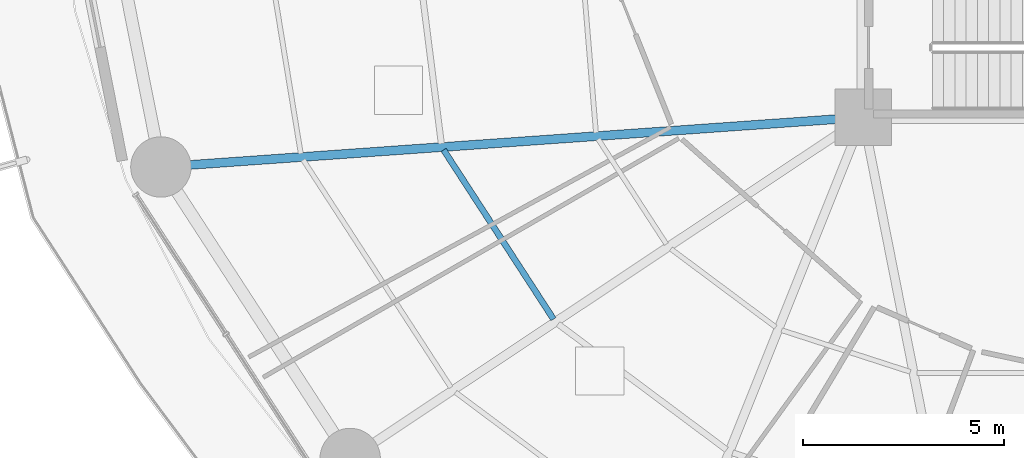
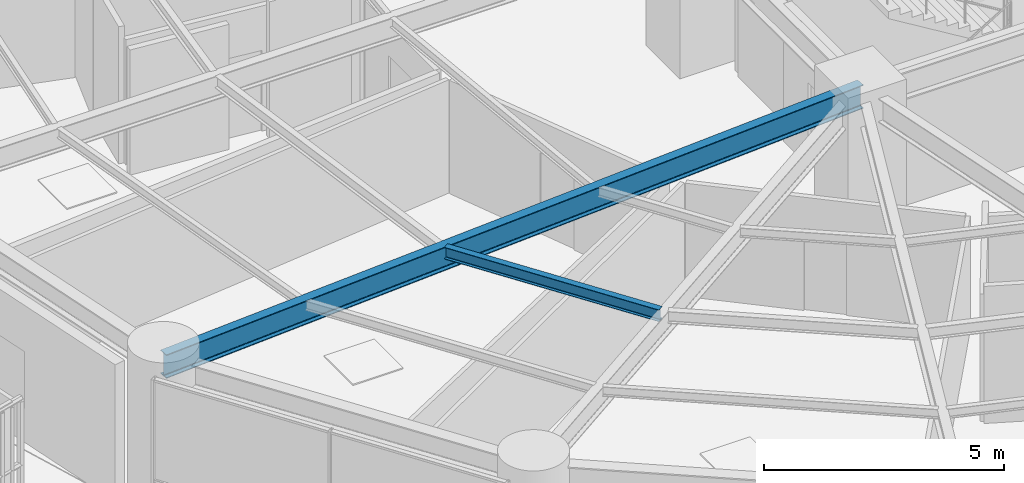
# One storey, part 5 of 32: 2 beams.
"""IFC4 building model written with IfcOpenShell, lengths in metres."""

from ifc_helpers import new_model, si_unit, direction, frame, origin, origin_2d, place, context, subcontext, project, spatial, i_section, extrude, material, material_profile, profile_set, type_object, element, save


model = new_model("IFC4")

# Units and contexts
model_context = context("Model", 3, precision=1e-05, world=origin(), true_north=direction((0.0, 1.0)))
body_context = subcontext(model_context, "Body", "Model", "MODEL_VIEW")
ifc_project = project(units=[si_unit("LENGTHUNIT", "METRE"), si_unit("AREAUNIT", "SQUARE_METRE"), si_unit("VOLUMEUNIT", "CUBIC_METRE"), si_unit("PLANEANGLEUNIT", "RADIAN"), si_unit("MASSUNIT", "GRAM", prefix="KILO")], contexts=[model_context])

# Site, building, storey
site_placement = place(None, origin())
site = spatial("IfcSite", under=ifc_project, at=site_placement, CompositionType="ELEMENT")
building_placement = place(site_placement, origin())
building = spatial("IfcBuilding", under=site, at=building_placement, Name="Kelanora Arch Commons", CompositionType="ELEMENT")
storey_placement = place(building_placement, frame((0.0, 0.0, 52.5)))
storey = spatial("IfcBuildingStorey", under=building, at=storey_placement, Name="L13", CompositionType="ELEMENT", Elevation=52.5)

# Beams
ifc_material = material(Name="Steel S355", Category="steel")
ifc_material_profile_1 = material_profile(ifc_material, i_section(OverallWidth=0.14990234375, OverallDepth=0.300048828125, WebThickness=0.007080078125, FlangeThickness=0.0107421875, FilletRadius=0.014892578125, at=origin_2d()), Name="IPE300")
ifc_profile_set_1 = profile_set([ifc_material_profile_1], Name="Steel S355")
beam_type_1 = type_object("IfcBeamType", Name="BM-JST-01", PredefinedType="JOIST", material=ifc_profile_set_1)
beam_1_placement = place(storey_placement, frame((55.578125, 50.187255859375, 3.340087890625), z_axis=(0.544551588245, -0.838727350061, 0.0), x_axis=(0.838727350061, 0.544551588245, 0.0)))
element("IfcBeam", 1, at=beam_1_placement, inside=storey, type_object=beam_type_1, Name="Secondary Chord Joist BJB-20 L13", PredefinedType="JOIST", context=body_context, shape_type="SweptSolid", body=[
    extrude(i_section(OverallWidth=0.14990234375, OverallDepth=0.300048828125, WebThickness=0.007080078125, FlangeThickness=0.0107421875, FilletRadius=0.014892578125, at=origin_2d()), origin(), (0.0, 0.0, 1.0), 5.010986328125),
])
ifc_material_profile_2 = material_profile(ifc_material, i_section(OverallWidth=0.219970703125, OverallDepth=0.60009765625, WebThickness=0.011962890625, FlangeThickness=0.01904296875, FilletRadius=0.02392578125, at=origin_2d()), Name="IPE600")
ifc_profile_set_2 = profile_set([ifc_material_profile_2], Name="Steel S355")
beam_type_2 = type_object("IfcBeamType", Name="BM-RAD-Z1", PredefinedType="BEAM", material=ifc_profile_set_2)
beam_2_placement = place(storey_placement, frame((66.0, 51.0, 3.18994140625), z_axis=(-0.997500683472, -0.070656821848, 0.0), x_axis=(0.070656821848, -0.997500683472, 0.0)))
element("IfcBeam", 2, at=beam_2_placement, inside=storey, type_object=beam_type_2, Name="Radial Floor Girder BR-20 L13", PredefinedType="BEAM", context=body_context, shape_type="SweptSolid", body=[
    extrude(i_section(OverallWidth=0.219970703125, OverallDepth=0.60009765625, WebThickness=0.011962890625, FlangeThickness=0.01904296875, FilletRadius=0.02392578125, at=origin_2d()), origin(), (0.0, 0.0, 1.0), 17.49072265625),
])

save(model, "model.ifc")
